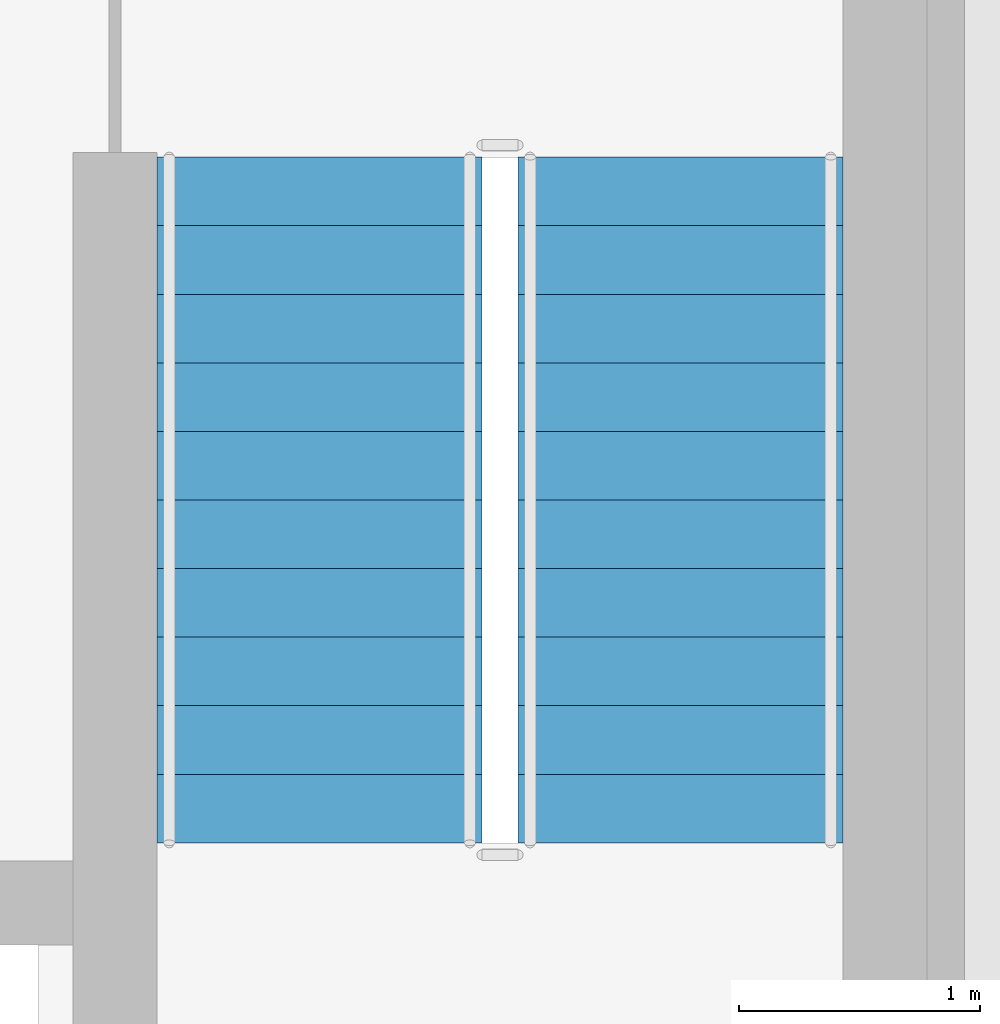
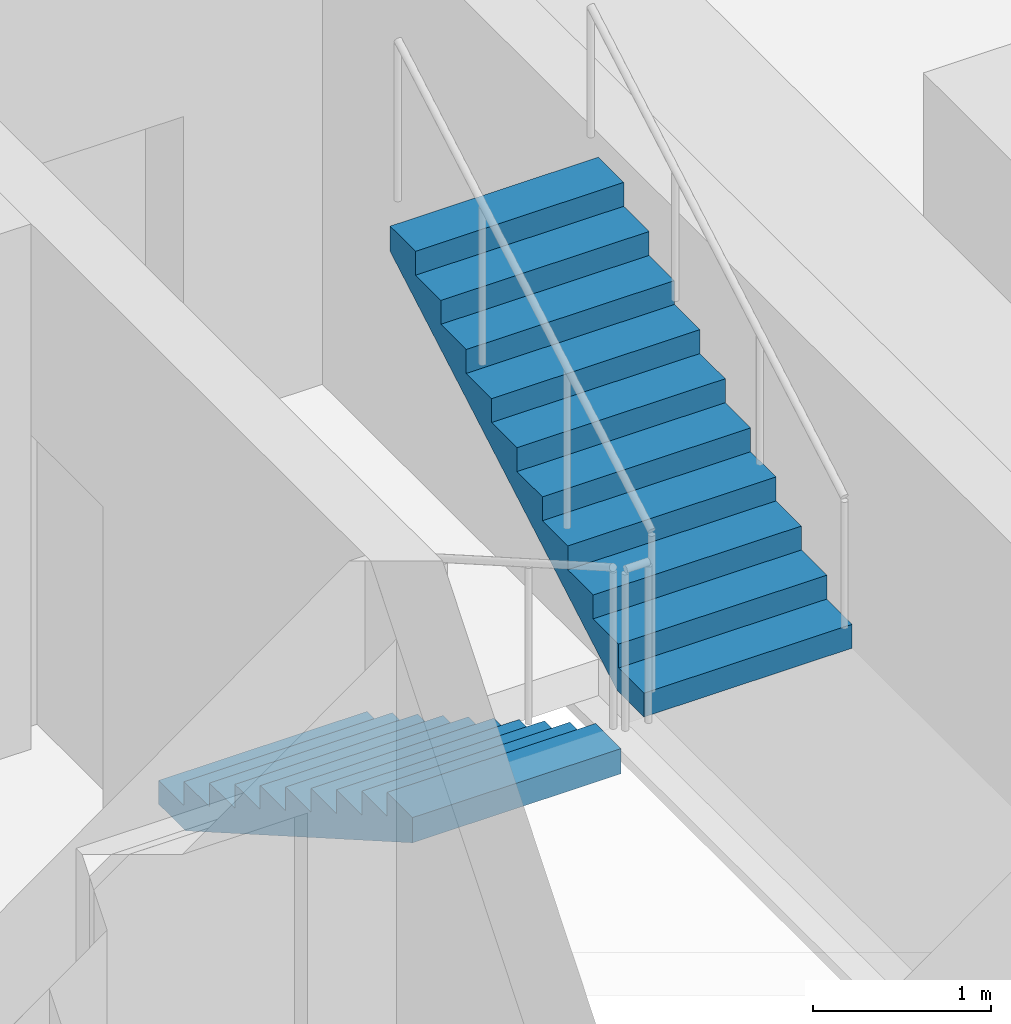
# One storey, part 10 of 13: 2 stair flights, 1 element without a shape of its own.
"""IFC4 building model written with IfcOpenShell, lengths in metres."""

from ifc_helpers import new_model, si_unit, direction, frame, origin, place, context, subcontext, project, spatial, polyline, outline, extrude, material, type_object, element, aggregate, save


model = new_model("IFC4")

# Units and contexts
model_context = context("Model", 3, precision=1e-05, world=origin(), true_north=direction((0.0, 1.0)))
body_context = subcontext(model_context, "Body", "Model", "MODEL_VIEW")
ifc_project = project(units=[si_unit("LENGTHUNIT", "METRE"), si_unit("AREAUNIT", "SQUARE_METRE"), si_unit("VOLUMEUNIT", "CUBIC_METRE"), si_unit("PLANEANGLEUNIT", "RADIAN"), si_unit("MASSUNIT", "GRAM", prefix="KILO")], contexts=[model_context])

# Site, building, storey
site_placement = place(None, origin())
site = spatial("IfcSite", under=ifc_project, at=site_placement, CompositionType="ELEMENT")
building_placement = place(site_placement, origin())
building = spatial("IfcBuilding", under=site, at=building_placement, Name="Almagre Mirador Tower", CompositionType="ELEMENT")
storey_placement = place(building_placement, frame((0.0, 0.0, 89.39990234375)))
storey = spatial("IfcBuildingStorey", under=building, at=storey_placement, Name="L22", CompositionType="ELEMENT", Elevation=89.39990234375)

# Stair, stair flights
ifc_material_1 = material(Name="Concrete C45/55", Category="concrete")
stair_type = type_object("IfcStairType", Name="STR-DL-3600", PredefinedType="HALF_TURN_STAIR", material=ifc_material_1)
stair_placement = place(storey_placement, origin())
stair = element("IfcStair", 1, at=stair_placement, inside=storey, type_object=stair_type, Name="L22 Protected exit stair ST-3", PredefinedType="HALF_TURN_STAIR")
ifc_material_2 = material(Name="Concrete C45/55", Category="concrete")
stair_flight_type = type_object("IfcStairFlightType", Name="FLT-DL-3600", PredefinedType="STRAIGHT", material=ifc_material_2)
stair_flight_1_placement = place(storey_placement, frame((44.14990234375, 11.199951171875, 0.0), z_axis=(0.0, 0.0, 1.0), x_axis=(0.0, -1.0, 0.0)))
stair_flight_1 = element("IfcStairFlight", 2, at=stair_flight_1_placement, type_object=stair_flight_type, Name="ST-3 flight 1", NumberOfRisers=11, NumberOfTreads=10, PredefinedType="STRAIGHT", RiserHeight=0.163636364, TreadLength=0.285, context=body_context, shape_type="SweptSolid", body=[
    extrude(outline(polyline([(0.0, 0.0), (0.0, 0.16357421875), (0.284912109375, 0.16357421875), (0.284912109375, 0.327392578125), (0.570068359375, 0.327392578125), (0.570068359375, 0.490966796875), (0.85498046875, 0.490966796875), (0.85498046875, 0.654541015625), (1.139892578125, 0.654541015625), (1.139892578125, 0.818115234375), (1.425048828125, 0.818115234375), (1.425048828125, 0.98193359375), (1.7099609375, 0.98193359375), (1.7099609375, 1.1455078125), (1.9951171875, 1.1455078125), (1.9951171875, 1.30908203125), (2.280029296875, 1.30908203125), (2.280029296875, 1.47265625), (2.56494140625, 1.47265625), (2.56494140625, 1.636474609375), (2.85009765625, 1.636474609375), (2.85009765625, 1.800048828125), (2.85009765625, 1.463623046875), (0.301025390625, 0.0), (0.0, 0.0)])), frame((0.0, 0.675048828125, 0.0), z_axis=(0.0, -1.0, 0.0), x_axis=(1.0, 0.0, 0.0)), (0.0, 0.0, 1.0), 1.35009765625),
])
stair_flight_2_placement = place(storey_placement, frame((45.64990234375, 8.35009765625, 1.800048828125), z_axis=(0.0, 0.0, 1.0), x_axis=(0.0, 1.0, 0.0)))
stair_flight_2 = element("IfcStairFlight", 3, at=stair_flight_2_placement, type_object=stair_flight_type, Name="ST-3 flight 2", NumberOfRisers=11, NumberOfTreads=10, PredefinedType="STRAIGHT", RiserHeight=0.163636364, TreadLength=0.285, context=body_context, shape_type="SweptSolid", body=[
    extrude(outline(polyline([(0.0, 0.0), (0.0, 0.16357421875), (0.284912109375, 0.16357421875), (0.284912109375, 0.327392578125), (0.570068359375, 0.327392578125), (0.570068359375, 0.490966796875), (0.85498046875, 0.490966796875), (0.85498046875, 0.654541015625), (1.139892578125, 0.654541015625), (1.139892578125, 0.818115234375), (1.425048828125, 0.818115234375), (1.425048828125, 0.98193359375), (1.7099609375, 0.98193359375), (1.7099609375, 1.1455078125), (1.9951171875, 1.1455078125), (1.9951171875, 1.30908203125), (2.280029296875, 1.30908203125), (2.280029296875, 1.47265625), (2.56494140625, 1.47265625), (2.56494140625, 1.636474609375), (2.85009765625, 1.636474609375), (2.85009765625, 1.800048828125), (2.85009765625, 1.463623046875), (0.301025390625, 0.0), (0.0, 0.0)])), frame((0.0, 0.675048828125, 0.0), z_axis=(0.0, -1.0, 0.0), x_axis=(1.0, 0.0, 0.0)), (0.0, 0.0, 1.0), 1.35009765625),
])
aggregate(stair, [stair_flight_1, stair_flight_2])

save(model, "model.ifc")
